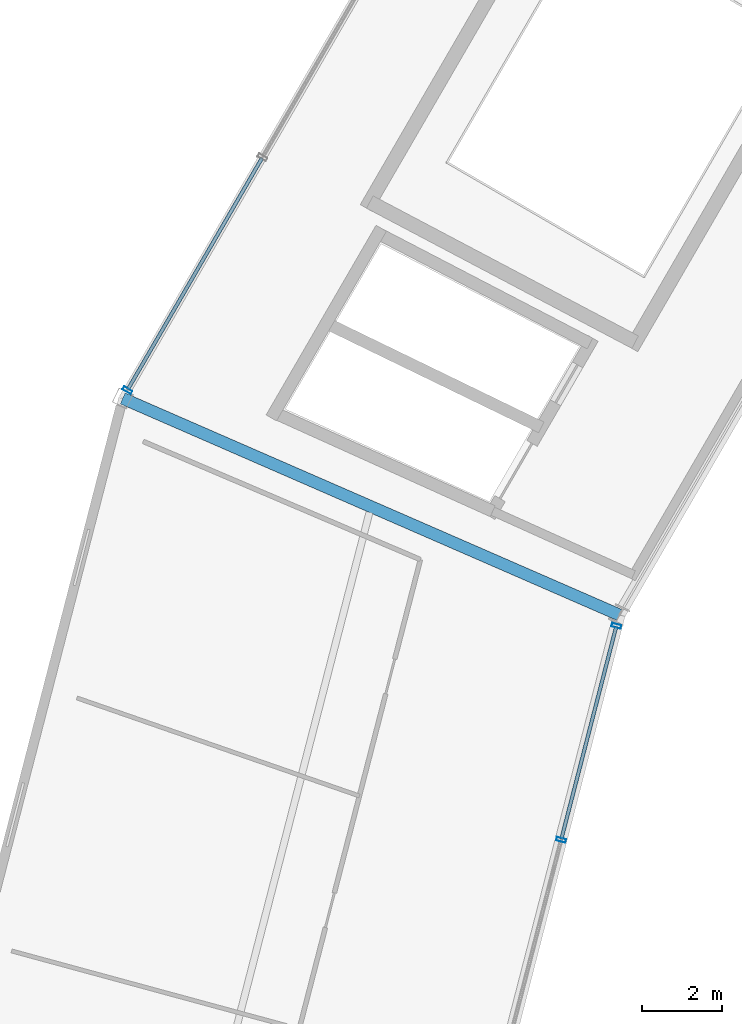
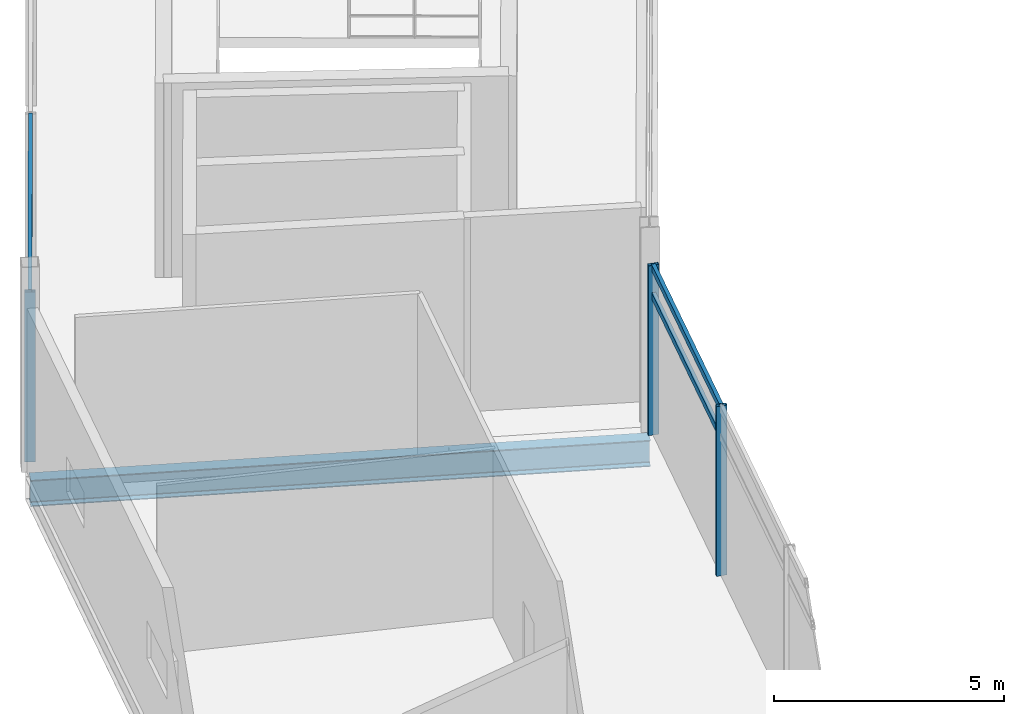
# One storey, part 44 of 86: 7 members, 1 beam, 2 elements without a shape of their own.
"""IFC4 building model written with IfcOpenShell, lengths in metres."""

import ifcopenshell
import ifcopenshell.guid

model = None  # the IFC model being written
_history = None  # IfcOwnerHistory: only IFC2X3 demands one
_inside = {}  # id of a spatial element -> (the spatial element, [elements in it])
_under = {}  # id of a project, library or spatial element -> (it, [spatial elements below it])
_declared = {}  # id of a project -> (the project, [libraries it declares])
_typed = {}  # id of a type object -> (the type object, [elements of that type])
_made_of = {}  # id of a material, layer set ... -> (it, [elements and type objects made of it])


def new_model(schema):
    """Start an empty IFC model of exactly this schema.

    Asked for "IFC4X3", IfcOpenShell would pick the latest addendum, in which some entities
    have other attributes; the version numbers below select the first issue.
    IFC2X3 requires an IfcOwnerHistory on every rooted entity: one is made here for all.
    """
    global model, _history
    if schema == "IFC4X3":
        model = ifcopenshell.file(schema_version=(4, 3, 0, 0))
    else:
        model = ifcopenshell.file(schema=schema)
    _inside.clear()
    _under.clear()
    _declared.clear()
    _typed.clear()
    _made_of.clear()
    _history = None
    if model.schema == "IFC2X3":
        org = make("IfcOrganization", Name="unknown")
        user = make(
            "IfcPersonAndOrganization",
            ThePerson=make("IfcPerson", FamilyName="unknown"),
            TheOrganization=org,
        )
        app = make(
            "IfcApplication",
            ApplicationDeveloper=org,
            Version="unknown",
            ApplicationFullName="unknown",
            ApplicationIdentifier="unknown",
        )
        _history = make(
            "IfcOwnerHistory",
            OwningUser=user,
            OwningApplication=app,
            ChangeAction="ADDED",
            CreationDate=0,
        )
    return model


def make(cls, **values):
    """One entity of the class cls with the attributes given. An attribute that is None is left unset."""
    return model.create_entity(
        cls, **{name: value for name, value in values.items() if value is not None}
    )


def rooted(cls, **values):
    """An entity with a GlobalId (a new one), such as an element, a storey or a relation."""
    return make(cls, GlobalId=ifcopenshell.guid.new(), OwnerHistory=_history, **values)


def si_unit(unit_type, name, prefix=None):
    """IfcSIUnit, for example si_unit("LENGTHUNIT", "METRE", prefix="MILLI")."""
    return make("IfcSIUnit", UnitType=unit_type, Prefix=prefix, Name=name)


def assignment(units):
    """IfcUnitAssignment: the units of a project."""
    return None if units is None else make("IfcUnitAssignment", Units=units)


def point(xyz):
    """IfcCartesianPoint."""
    return None if xyz is None else make("IfcCartesianPoint", Coordinates=xyz)


def direction(xyz):
    """IfcDirection."""
    return None if xyz is None else make("IfcDirection", DirectionRatios=xyz)


def frame(location, z_axis=None, x_axis=None):
    """IfcAxis2Placement3D, a coordinate frame: its origin and axes. An axis left out is left unset."""
    return make(
        "IfcAxis2Placement3D",
        Location=point(location),
        Axis=direction(z_axis),
        RefDirection=direction(x_axis),
    )


def frame_2d(location, x_axis=None):
    """IfcAxis2Placement2D, a coordinate frame in the plane: its origin and x axis."""
    return make(
        "IfcAxis2Placement2D", Location=point(location), RefDirection=direction(x_axis)
    )


def origin():
    """The frame at (0, 0, 0) with its axes left unset."""
    return frame((0.0, 0.0, 0.0))


def origin_2d():
    """The frame at (0, 0) in the plane with its x axis left unset."""
    return frame_2d((0.0, 0.0))


def place(relative_to, where):
    """IfcLocalPlacement: puts the frame where relative to a parent placement (None: the world)."""
    return make(
        "IfcLocalPlacement", PlacementRelTo=relative_to, RelativePlacement=where
    )


def context(
    kind, dimensions, precision=None, world=None, true_north=None, identifier=None
):
    """IfcGeometricRepresentationContext, for example the 3D "Model" context."""
    return make(
        "IfcGeometricRepresentationContext",
        ContextIdentifier=identifier,
        ContextType=kind,
        CoordinateSpaceDimension=dimensions,
        Precision=precision,
        WorldCoordinateSystem=world,
        TrueNorth=true_north,
    )


def subcontext(parent, identifier, kind, view, scale=None):
    """IfcGeometricRepresentationSubContext, for example "Body" below "Model"."""
    return make(
        "IfcGeometricRepresentationSubContext",
        ContextIdentifier=identifier,
        ContextType=kind,
        ParentContext=parent,
        TargetScale=scale,
        TargetView=view,
    )


def project(units=None, contexts=None):
    """IfcProject with its units and contexts."""
    return rooted(
        "IfcProject",
        Name="project",
        RepresentationContexts=contexts,
        UnitsInContext=assignment(units),
    )


def spatial(cls, under=None, at=None, **own):
    """A site, building, storey or space (cls), placed at a placement, below another one or the project."""
    s = rooted(cls, ObjectPlacement=at, **own)
    if under is not None:
        _under.setdefault(under.id(), (under, []))[1].append(s)
    return s


def profile(cls, at=None, kind="AREA", **sizes):
    """A parametric profile (cls). Its sizes go by their IFC names, for example OverallWidth=200.0."""
    return make(cls, ProfileType=kind, Position=at, **sizes)


def hollow_rectangle(**sizes):
    """IfcRectangleHollowProfileDef."""
    return profile("IfcRectangleHollowProfileDef", **sizes)


def i_section(**sizes):
    """IfcIShapeProfileDef."""
    return profile("IfcIShapeProfileDef", **sizes)


def extrude(swept, where, along, depth):
    """IfcExtrudedAreaSolid: the profile swept, set in the frame where, extruded along a direction by depth."""
    return make(
        "IfcExtrudedAreaSolid",
        SweptArea=swept,
        Position=where,
        ExtrudedDirection=direction(along),
        Depth=depth,
    )


def shape(context_of_items, identifier, shape_type, items):
    """IfcShapeRepresentation: the items that make up one representation, for example the "Body"."""
    return make(
        "IfcShapeRepresentation",
        ContextOfItems=context_of_items,
        RepresentationIdentifier=identifier,
        RepresentationType=shape_type,
        Items=items,
    )


def material(Name=None, Category=None):
    """IfcMaterial."""
    return make("IfcMaterial", Name=Name, Category=Category)


def layer(
    of_material, thickness, ventilated=None, Name=None, Category=None, Priority=None
):
    """IfcMaterialLayer: one layer of a wall or slab, of a material (None: an air gap)."""
    return make(
        "IfcMaterialLayer",
        Material=of_material,
        LayerThickness=thickness,
        IsVentilated=ventilated,
        Name=Name,
        Category=Category,
        Priority=Priority,
    )


def layer_set(layers, Name=None):
    """IfcMaterialLayerSet."""
    return make("IfcMaterialLayerSet", MaterialLayers=layers, LayerSetName=Name)


def material_profile(
    of_material, cross_section, Name=None, Category=None, Priority=None
):
    """IfcMaterialProfile: a cross section and its material."""
    return make(
        "IfcMaterialProfile",
        Name=Name,
        Material=of_material,
        Profile=cross_section,
        Priority=Priority,
        Category=Category,
    )


def profile_set(profiles, Name=None, composite=None):
    """IfcMaterialProfileSet."""
    return make(
        "IfcMaterialProfileSet",
        Name=Name,
        MaterialProfiles=profiles,
        CompositeProfile=composite,
    )


def made_of(thing, what):
    """Note that an element or type object is made of a material, layer set ...; save() writes the relation."""
    if what is not None:
        _made_of.setdefault(what.id(), (what, []))[1].append(thing)
    return thing


def type_object(cls, material=None, **own):
    """A type object (cls), such as IfcWallType, which elements share."""
    return made_of(rooted(cls, **own), material)


def element(
    cls,
    number,
    at=None,
    inside=None,
    cuts=None,
    type_object=None,
    material=None,
    context=None,
    identifier="Body",
    shape_type=None,
    held_by="IfcProductDefinitionShape",
    body=None,
    shapes=None,
    **own,
):
    """One element of the class cls, such as IfcWall. Its Tag is "e" and its number.

    at: its placement. inside: the storey or other place that contains it. cuts: it is an
    opening in that element (IfcRelVoidsElement). A single representation is given by context,
    identifier, shape_type and body (its items); several are given by shapes. held_by: the class
    of the entity that holds the representations. save() writes the other relations.
    """
    e = rooted(cls, Tag="e%d" % number, ObjectPlacement=at, **own)
    if body is not None:
        shapes = [shape(context, identifier, shape_type, body)]
    if shapes is not None:
        e.Representation = make(held_by, Representations=shapes)
    if inside is not None:
        _inside.setdefault(inside.id(), (inside, []))[1].append(e)
    if cuts is not None:
        rooted(
            "IfcRelVoidsElement", RelatingBuildingElement=cuts, RelatedOpeningElement=e
        )
    if type_object is not None:
        _typed.setdefault(type_object.id(), (type_object, []))[1].append(e)
    return made_of(e, material)


def aggregate(whole, parts):
    """IfcRelAggregates: a whole, such as a stair, and the parts it consists of."""
    return rooted("IfcRelAggregates", RelatingObject=whole, RelatedObjects=parts)


def save(model, path):
    """Write the relations noted so far, then the file.

    IfcRelAggregates (storeys below a building ...), IfcRelContainedInSpatialStructure (elements
    in a storey), IfcRelDefinesByType, IfcRelAssociatesMaterial and IfcRelDeclares: one each for
    every whole, place, type object, material and project.
    """
    for whole, parts in _under.values():
        aggregate(whole, parts)
    for where, things in _inside.values():
        rooted(
            "IfcRelContainedInSpatialStructure",
            RelatedElements=things,
            RelatingStructure=where,
        )
    for kind, things in _typed.values():
        rooted("IfcRelDefinesByType", RelatedObjects=things, RelatingType=kind)
    for what, things in _made_of.values():
        rooted("IfcRelAssociatesMaterial", RelatedObjects=things, RelatingMaterial=what)
    for by, libraries in _declared.values():
        rooted("IfcRelDeclares", RelatingContext=by, RelatedDefinitions=libraries)
    model.write(path)


model = new_model("IFC4")

# Units and contexts
model_context = context("Model", 3, precision=1e-05, world=origin(), true_north=direction((0.0, 1.0)))
body_context = subcontext(model_context, "Body", "Model", "MODEL_VIEW")
ifc_project = project(units=[si_unit("LENGTHUNIT", "METRE"), si_unit("AREAUNIT", "SQUARE_METRE"), si_unit("VOLUMEUNIT", "CUBIC_METRE"), si_unit("PLANEANGLEUNIT", "RADIAN"), si_unit("MASSUNIT", "GRAM", prefix="KILO")], contexts=[model_context])

# Site, building, storey
site_placement = place(None, origin())
site = spatial("IfcSite", under=ifc_project, at=site_placement, CompositionType="ELEMENT")
building_placement = place(site_placement, origin())
building = spatial("IfcBuilding", under=site, at=building_placement, Name="Kazemori Nagisa Stadium", CompositionType="ELEMENT")
storey_placement = place(building_placement, frame((0.0, 0.0, 31.280029296875)))
storey = spatial("IfcBuildingStorey", under=building, at=storey_placement, Name="L06", CompositionType="ELEMENT", Elevation=31.280029296875)

# Beam
ifc_material_1 = material(Name="Steel SN490B", Category="steel")
ifc_material_profile_1 = material_profile(ifc_material_1, i_section(OverallWidth=0.300048828125, OverallDepth=0.699951171875, WebThickness=0.012939453125, FlangeThickness=0.02392578125, FilletRadius=0.01806640625, at=origin_2d()), Name="H-700x300x13x24")
ifc_profile_set_1 = profile_set([ifc_material_profile_1], Name="Steel SN490B")
beam_type = type_object("IfcBeamType", Name="Beam_BG-H700", PredefinedType="BEAM", material=ifc_profile_set_1)
beam_placement = place(storey_placement, frame((46.55908203125, 135.32470703125, -0.610107421875), z_axis=(-0.916683633521, 0.399613708517, 0.0), x_axis=(-0.399613708517, -0.916683633521, 0.0)))
element("IfcBeam", 1, at=beam_placement, inside=storey, type_object=beam_type, Name="Radial girder BG-H700 L06 R2-R3-13", PredefinedType="BEAM", context=body_context, shape_type="SweptSolid", body=[
    extrude(i_section(OverallWidth=0.300048828125, OverallDepth=0.699951171875, WebThickness=0.012939453125, FlangeThickness=0.02392578125, FilletRadius=0.01806640625, at=origin_2d()), origin(), (0.0, 0.0, 1.0), 13.5751953125),
])

# Curtain wall, member
ifc_material_2 = material(Name="Anodised aluminium 6063-T5", Category="aluminium")
ifc_layer_1 = layer(ifc_material_2, 0.239990234375, Name="Anodised aluminium 6063-T5", Category="aluminium")
ifc_layer_set_1 = layer_set([ifc_layer_1], Name="Anodised aluminium 6063-T5")
curtain_wall_type_1 = type_object("IfcCurtainWallType", Name="CW_L06R3_102", PredefinedType="USERDEFINED", material=ifc_layer_set_1)
curtain_wall_1_placement = place(storey_placement, origin())
curtain_wall_1 = element("IfcCurtainWall", 2, at=curtain_wall_1_placement, inside=storey, type_object=curtain_wall_type_1, Name="Unitised curtain wall CW-L06R3-102 L06", ObjectType="UNITISED CURTAIN WALL", PredefinedType="USERDEFINED")
ifc_material_3 = material(Name="Aluminium 6063-T5 anodised", Category="aluminium")
ifc_material_profile_2 = material_profile(ifc_material_3, hollow_rectangle(XDim=0.090087890625, YDim=0.239990234375, WallThickness=0.0048828125, at=origin_2d()), Name="ALU-MULL-90x240x5")
ifc_profile_set_2 = profile_set([ifc_material_profile_2], Name="Aluminium 6063-T5 anodised")
member_type_1 = type_object("IfcMemberType", Name="Mullion_M03", PredefinedType="MULLION", material=ifc_profile_set_2)
member_1_placement = place(storey_placement, frame((34.23291015625, 140.952880859375, 0.0), z_axis=(0.0, 0.0, 1.0), x_axis=(-0.501611590054, -0.865092950337, 0.0)))
member_1 = element("IfcMember", 3, at=member_1_placement, type_object=member_type_1, Name="Curtain wall mullion CW-L06R3-102-M4", PredefinedType="MULLION", context=body_context, shape_type="SweptSolid", body=[
    extrude(hollow_rectangle(XDim=0.090087890625, YDim=0.239990234375, WallThickness=0.0048828125, at=origin_2d()), origin(), (0.0, 0.0, 1.0), 4.510009765625),
])

# Curtain wall, members
ifc_layer_2 = layer(ifc_material_2, 0.239990234375, Name="Anodised aluminium 6063-T5", Category="aluminium")
ifc_layer_set_2 = layer_set([ifc_layer_2], Name="Anodised aluminium 6063-T5")
curtain_wall_type_2 = type_object("IfcCurtainWallType", Name="CW_L06G_83", PredefinedType="USERDEFINED", material=ifc_layer_set_2)
curtain_wall_2_placement = place(storey_placement, origin())
curtain_wall_2 = element("IfcCurtainWall", 4, at=curtain_wall_2_placement, inside=storey, type_object=curtain_wall_type_2, Name="Unitised curtain wall CW-L06G-83 L06", ObjectType="UNITISED CURTAIN WALL", PredefinedType="USERDEFINED")
member_2_placement = place(storey_placement, frame((46.48779296875, 135.048583984375, 0.0), z_axis=(0.0, 0.0, 1.0), x_axis=(-0.249964642418, -0.968254965152, 0.0)))
member_2 = element("IfcMember", 5, at=member_2_placement, type_object=member_type_1, Name="Curtain wall mullion CW-L06G-83-M1", PredefinedType="MULLION", context=body_context, shape_type="SweptSolid", body=[
    extrude(hollow_rectangle(XDim=0.090087890625, YDim=0.239990234375, WallThickness=0.0048828125, at=origin_2d()), origin(), (0.0, 0.0, 1.0), 4.510009765625),
])
member_3_placement = place(storey_placement, frame((45.10302734375, 129.68505859375, 0.0), z_axis=(0.0, 0.0, 1.0), x_axis=(-0.249964642418, -0.968254965152, 0.0)))
member_3 = element("IfcMember", 6, at=member_3_placement, type_object=member_type_1, Name="Curtain wall mullion CW-L06G-83-M2", PredefinedType="MULLION", context=body_context, shape_type="SweptSolid", body=[
    extrude(hollow_rectangle(XDim=0.090087890625, YDim=0.239990234375, WallThickness=0.0048828125, at=origin_2d()), origin(), (0.0, 0.0, 1.0), 4.510009765625),
])

# Member
ifc_material_profile_3 = material_profile(ifc_material_3, hollow_rectangle(XDim=0.090087890625, YDim=0.179931640625, WallThickness=0.0048828125, at=origin_2d()), Name="ALU-TRAN-90x180x5")
ifc_profile_set_3 = profile_set([ifc_material_profile_3], Name="Aluminium 6063-T5 anodised")
member_type_2 = type_object("IfcMemberType", Name="Transom_T03", PredefinedType="USERDEFINED", material=ifc_profile_set_3)
member_4_placement = place(storey_placement, frame((37.607421875, 146.772705078125, 3.47265625), z_axis=(-0.501612953117, -0.865092159984, 0.0), x_axis=(0.865092159984, -0.501612953117, 0.0)))
member_4 = element("IfcMember", 7, at=member_4_placement, type_object=member_type_2, Name="Curtain wall transom CW-L06R3-102-T3-mid", ObjectType="TRANSOM", PredefinedType="USERDEFINED", context=body_context, shape_type="SweptSolid", body=[
    extrude(hollow_rectangle(XDim=0.090087890625, YDim=0.179931640625, WallThickness=0.0048828125, at=origin_2d()), origin(), (0.0, 0.0, 1.0), 6.707275390625),
])

member_5_placement = place(storey_placement, frame((37.607421875, 146.772705078125, 4.43994140625), z_axis=(-0.501612953117, -0.865092159984, 0.0), x_axis=(0.865092159984, -0.501612953117, 0.0)))
member_5 = element("IfcMember", 8, at=member_5_placement, type_object=member_type_2, Name="Curtain wall transom CW-L06R3-102-T3-head", ObjectType="TRANSOM", PredefinedType="USERDEFINED", context=body_context, shape_type="SweptSolid", body=[
    extrude(hollow_rectangle(XDim=0.090087890625, YDim=0.179931640625, WallThickness=0.0048828125, at=origin_2d()), origin(), (0.0, 0.0, 1.0), 6.707275390625),
])

aggregate(curtain_wall_1, [member_1, member_4, member_5])

member_6_placement = place(storey_placement, frame((46.482666015625, 135.029296875, 3.6982421875), z_axis=(-0.249934408946, -0.968262769719, 0.0), x_axis=(0.968262769719, -0.249934408946, 0.0)))
member_6 = element("IfcMember", 9, at=member_6_placement, type_object=member_type_2, Name="Curtain wall transom CW-L06G-83-T1-mid", ObjectType="TRANSOM", PredefinedType="USERDEFINED", context=body_context, shape_type="SweptSolid", body=[
    extrude(hollow_rectangle(XDim=0.090087890625, YDim=0.179931640625, WallThickness=0.0048828125, at=origin_2d()), origin(), (0.0, 0.0, 1.0), 5.49951171875),
])

member_7_placement = place(storey_placement, frame((46.482666015625, 135.029296875, 4.43994140625), z_axis=(-0.249934408946, -0.968262769719, 0.0), x_axis=(0.968262769719, -0.249934408946, 0.0)))
member_7 = element("IfcMember", 10, at=member_7_placement, type_object=member_type_2, Name="Curtain wall transom CW-L06G-83-T1-head", ObjectType="TRANSOM", PredefinedType="USERDEFINED", context=body_context, shape_type="SweptSolid", body=[
    extrude(hollow_rectangle(XDim=0.090087890625, YDim=0.179931640625, WallThickness=0.0048828125, at=origin_2d()), origin(), (0.0, 0.0, 1.0), 5.49951171875),
])

aggregate(curtain_wall_2, [member_2, member_3, member_6, member_7])

save(model, "model.ifc")
